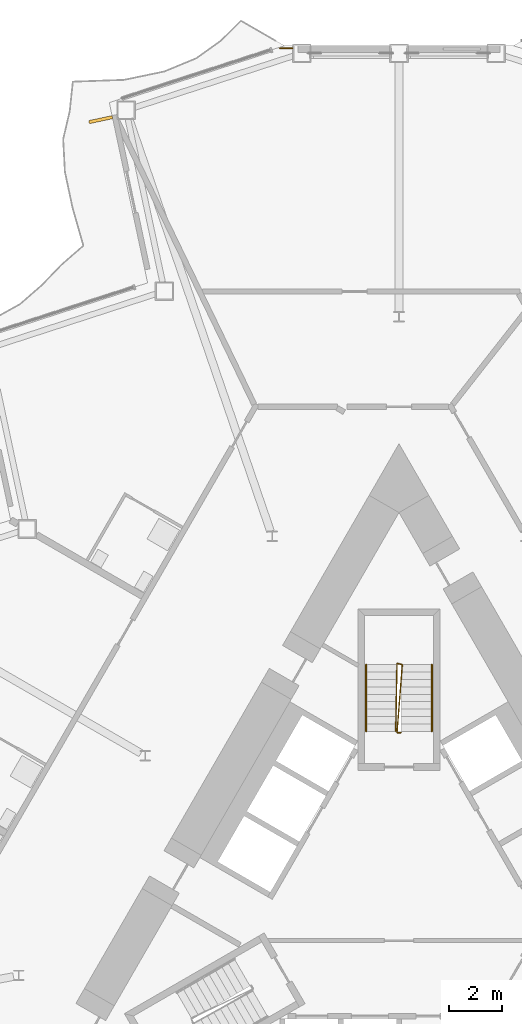
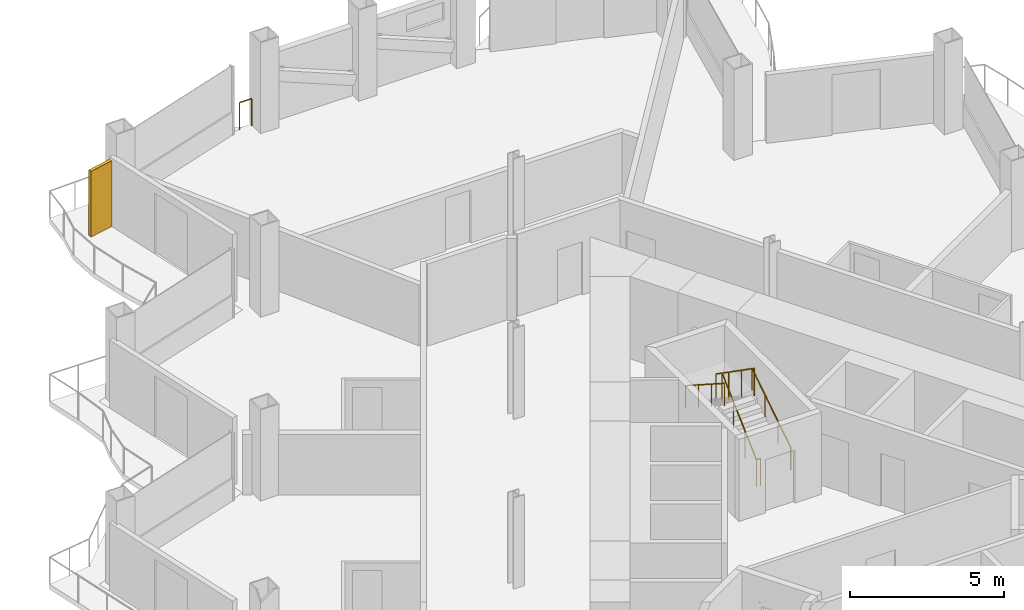
# One storey, part 21 of 24: 4 railings, 1 shading device.
"""IFC4 building model written with IfcOpenShell, lengths in metres."""

from ifc_helpers import new_model, si_unit, direction, frame, origin, origin_2d, place, context, subcontext, project, spatial, rectangle, circle, extrude, material, layer, layer_set, type_object, element, save


model = new_model("IFC4")

# Units and contexts
model_context = context("Model", 3, precision=1e-05, world=origin(), true_north=direction((0.0, 1.0)))
body_context = subcontext(model_context, "Body", "Model", "MODEL_VIEW")
ifc_project = project(units=[si_unit("LENGTHUNIT", "METRE"), si_unit("AREAUNIT", "SQUARE_METRE"), si_unit("VOLUMEUNIT", "CUBIC_METRE"), si_unit("PLANEANGLEUNIT", "RADIAN"), si_unit("MASSUNIT", "GRAM", prefix="KILO")], contexts=[model_context])

# Site, building, storey
site_placement = place(None, origin())
site = spatial("IfcSite", under=ifc_project, at=site_placement, CompositionType="ELEMENT")
building_placement = place(site_placement, origin())
building = spatial("IfcBuilding", under=site, at=building_placement, Name="Cormorant Prow Tower", CompositionType="ELEMENT")
storey_placement = place(building_placement, frame((0.0, 0.0, 238.199951171875)))
storey = spatial("IfcBuildingStorey", under=building, at=storey_placement, Name="L52", CompositionType="ELEMENT", Elevation=238.199951171875)

# Railings
ifc_material_1 = material(Name="Stainless steel", Category="steel")
railing_type_1 = type_object("IfcRailingType", Name="Facade corner guard 1100", PredefinedType="GUARDRAIL", material=ifc_material_1)
railing_1_placement = place(storey_placement, frame((-4.4951171875, 32.260009765625, 0.0)))
element("IfcRailing", 1, at=railing_1_placement, inside=storey, type_object=railing_type_1, Name="Facade corner guard L52 2", PredefinedType="GUARDRAIL", context=body_context, shape_type="SweptSolid", body=[
    extrude(circle(Radius=0.02392578125, at=origin_2d()), frame((0.0, 0.0, 1.076171875), z_axis=(1.0, 0.0, 0.0), x_axis=(0.0, 1.0, 0.0)), (0.0, 0.0, 1.0), 0.454833984375),
    extrude(circle(Radius=0.02099609375, at=origin_2d()), origin(), (0.0, 0.0, 1.0), 1.052001953125),
    extrude(circle(Radius=0.02099609375, at=origin_2d()), frame((0.454833984375, 0.0, 0.0)), (0.0, 0.0, 1.0), 1.052001953125),
])
ifc_material_2 = material(Name="Stainless steel", Category="steel")
railing_type_2 = type_object("IfcRailingType", Name="Stair guard 1100", PredefinedType="GUARDRAIL", material=ifc_material_2)
railing_2_placement = place(storey_placement, frame((0.074951171875, 6.40576171875, 0.0)))
element("IfcRailing", 2, at=railing_2_placement, inside=storey, type_object=railing_type_2, Name="L52 ST3 stair guard 1", PredefinedType="GUARDRAIL", context=body_context, shape_type="SweptSolid", body=[
    extrude(circle(Radius=0.02392578125, at=origin_2d()), frame((0.0, 0.0, 1.076171875), z_axis=(-1.0, 0.0, 0.0), x_axis=(0.0, -1.0, 0.0)), (0.0, 0.0, 1.0), 0.14990234375),
    extrude(circle(Radius=0.02392578125, at=origin_2d()), frame((-0.14990234375, 0.0, 1.076171875), z_axis=(0.063595540489, 0.817423998443, 0.572515164864), x_axis=(-0.996987254287, 0.077565551559, 0.0)), (0.0, 0.0, 1.0), 3.14404296875),
    extrude(circle(Radius=0.02392578125, at=origin_2d()), frame((0.050048828125, 2.570068359375, 2.8759765625), z_axis=(-0.970072785993, 0.242814311512, 0.0), x_axis=(-0.242814311512, -0.970072785993, 0.0)), (0.0, 0.0, 1.0), 0.2060546875),
    extrude(circle(Radius=0.02392578125, at=origin_2d()), frame((-0.14990234375, 2.6201171875, 2.8759765625), z_axis=(-0.01594855688, -0.818977845239, 0.573603462805), x_axis=(0.999810440751, -0.019470042781, 0.0)), (0.0, 0.0, 1.0), 3.13818359375),
    extrude(circle(Radius=0.02099609375, at=origin_2d()), origin(), (0.0, 0.0, 1.0), 1.052001953125),
    extrude(circle(Radius=0.02099609375, at=origin_2d()), frame((-0.14990234375, 0.0, 0.0)), (0.0, 0.0, 1.0), 1.052001953125),
    extrude(circle(Radius=0.02099609375, at=origin_2d()), frame((-0.083251953125, 0.856689453125, 0.60009765625)), (0.0, 0.0, 1.0), 1.052001953125),
    extrude(circle(Radius=0.02099609375, at=origin_2d()), frame((-0.0166015625, 1.71337890625, 1.199951171875)), (0.0, 0.0, 1.0), 1.052001953125),
    extrude(circle(Radius=0.02099609375, at=origin_2d()), frame((0.050048828125, 2.570068359375, 1.800048828125)), (0.0, 0.0, 1.0), 1.052001953125),
    extrude(circle(Radius=0.02099609375, at=origin_2d()), frame((-0.14990234375, 2.6201171875, 1.800048828125)), (0.0, 0.0, 1.0), 1.052001953125),
    extrude(circle(Radius=0.02099609375, at=origin_2d()), frame((-0.16650390625, 1.763427734375, 2.400146484375)), (0.0, 0.0, 1.0), 1.052001953125),
    extrude(circle(Radius=0.02099609375, at=origin_2d()), frame((-0.183349609375, 0.90673828125, 3.0)), (0.0, 0.0, 1.0), 1.052001953125),
    extrude(circle(Radius=0.02099609375, at=origin_2d()), frame((-0.199951171875, 0.050048828125, 3.60009765625)), (0.0, 0.0, 1.0), 1.052001953125),
])
ifc_material_3 = material(Name="Stainless steel", Category="steel")
railing_type_3 = type_object("IfcRailingType", Name="Stair handrail 900", PredefinedType="HANDRAIL", material=ifc_material_3)
railing_3_placement = place(storey_placement, frame((1.243896484375, 6.455810546875, 0.179931640625)))
element("IfcRailing", 3, at=railing_3_placement, inside=storey, type_object=railing_type_3, Name="L52 ST3 stair handrail 1", PredefinedType="HANDRAIL", context=body_context, shape_type="SweptSolid", body=[
    extrude(circle(Radius=0.02392578125, at=origin_2d()), frame((0.0, 0.0, 0.8759765625), z_axis=(0.0, 0.841162588446, 0.540782303519), x_axis=(-1.0, 0.0, 0.0)), (0.0, 0.0, 1.0), 2.995849609375),
    extrude(circle(Radius=0.02099609375, at=origin_2d()), origin(), (0.0, 0.0, 1.0), 0.851806640625),
    extrude(circle(Radius=0.02099609375, at=origin_2d()), frame((0.0, 0.840087890625, 0.5400390625)), (0.0, 0.0, 1.0), 0.851806640625),
    extrude(circle(Radius=0.02099609375, at=origin_2d()), frame((0.0, 1.679931640625, 1.080078125)), (0.0, 0.0, 1.0), 0.851806640625),
    extrude(circle(Radius=0.02099609375, at=origin_2d()), frame((0.0, 2.52001953125, 1.6201171875)), (0.0, 0.0, 1.0), 0.851806640625),
])
railing_4_placement = place(storey_placement, frame((-1.243896484375, 8.975830078125, 1.97998046875)))
element("IfcRailing", 4, at=railing_4_placement, inside=storey, type_object=railing_type_3, Name="L52 ST3 stair handrail 2", PredefinedType="HANDRAIL", context=body_context, shape_type="SweptSolid", body=[
    extrude(circle(Radius=0.02392578125, at=origin_2d()), frame((0.0, 0.0, 0.8759765625), z_axis=(0.0, -0.841162588446, 0.540782303519), x_axis=(1.0, 0.0, 0.0)), (0.0, 0.0, 1.0), 2.995849609375),
    extrude(circle(Radius=0.02099609375, at=origin_2d()), origin(), (0.0, 0.0, 1.0), 0.851806640625),
    extrude(circle(Radius=0.02099609375, at=origin_2d()), frame((0.0, -0.840087890625, 0.5400390625)), (0.0, 0.0, 1.0), 0.851806640625),
    extrude(circle(Radius=0.02099609375, at=origin_2d()), frame((0.0, -1.679931640625, 1.080078125)), (0.0, 0.0, 1.0), 0.851806640625),
    extrude(circle(Radius=0.02099609375, at=origin_2d()), frame((0.0, -2.52001953125, 1.6201171875)), (0.0, 0.0, 1.0), 0.851806640625),
])

# Shading device
ifc_material_4 = material(Name="Terracotta", Category="masonry")
ifc_layer = layer(ifc_material_4, 0.1201171875)
ifc_layer_set = layer_set([ifc_layer], Name="Terracotta")
shading_device_type = type_object("IfcShadingDeviceType", Name="Terracotta baguette fin 120x900x2600", PredefinedType="USERDEFINED", material=ifc_layer_set)
shading_device_placement = place(storey_placement, frame((-11.266357421875, 29.5634765625, 0.0), z_axis=(0.0, 0.0, 1.0), x_axis=(0.207911646089, -0.978147610241, 0.0)))
element("IfcShadingDevice", 5, at=shading_device_placement, inside=storey, type_object=shading_device_type, Name="Baguette fin WNW01", ObjectType="BAGUETTE", PredefinedType="USERDEFINED", context=body_context, shape_type="SweptSolid", body=[
    extrude(rectangle(XDim=0.1201171875, YDim=0.89990234375, at=origin_2d()), origin(), (0.0, 0.0, 1.0), 2.60009765625),
])

save(model, "model.ifc")
